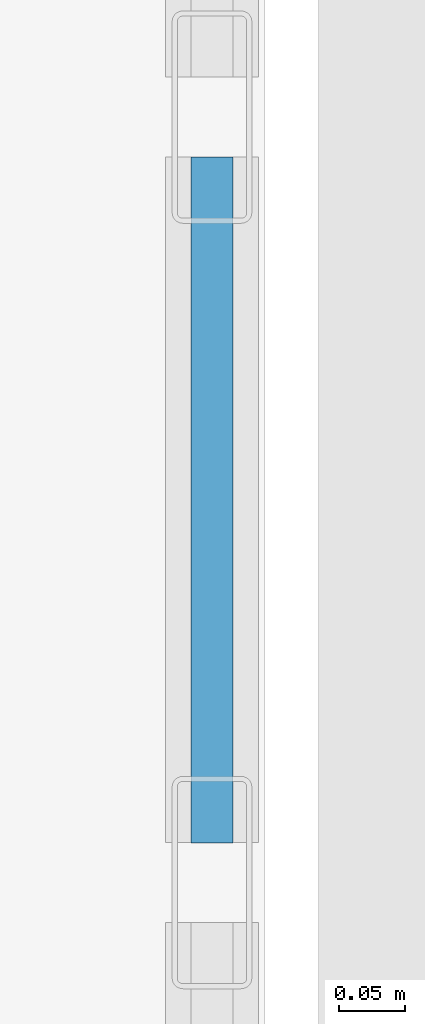
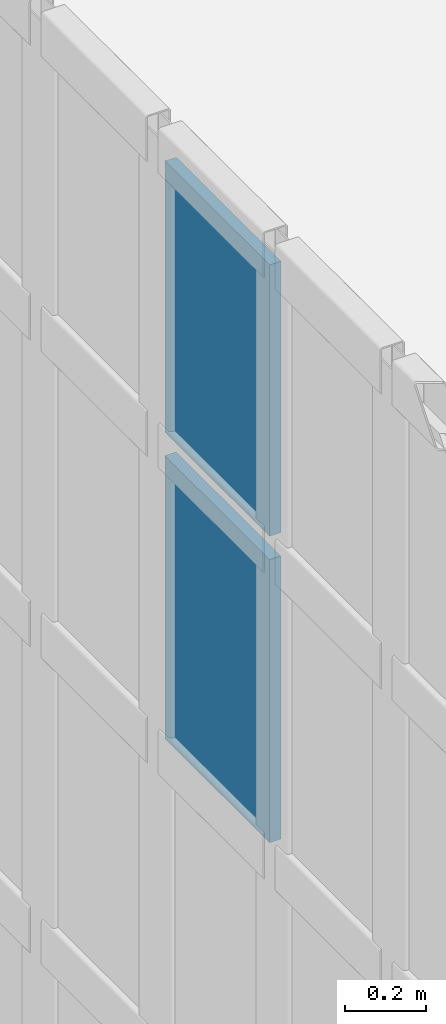
# One storey, part 84 of 104: 2 plates, 1 element without a shape of its own.
"""IFC4 building model written with IfcOpenShell, lengths in metres."""

from ifc_helpers import new_model, si_unit, direction, frame, origin, origin_2d, place, context, subcontext, project, spatial, rectangle, extrude, material, layer, layer_set, type_object, element, aggregate, save


model = new_model("IFC4")

# Units and contexts
model_context = context("Model", 3, precision=1e-05, world=origin(), true_north=direction((0.0, 1.0)))
body_context = subcontext(model_context, "Body", "Model", "MODEL_VIEW")
ifc_project = project(units=[si_unit("LENGTHUNIT", "METRE"), si_unit("AREAUNIT", "SQUARE_METRE"), si_unit("VOLUMEUNIT", "CUBIC_METRE"), si_unit("PLANEANGLEUNIT", "RADIAN"), si_unit("MASSUNIT", "GRAM", prefix="KILO")], contexts=[model_context])

# Site, building, storey
site_placement = place(None, origin())
site = spatial("IfcSite", under=ifc_project, at=site_placement, CompositionType="ELEMENT")
building_placement = place(site_placement, origin())
building = spatial("IfcBuilding", under=site, at=building_placement, Name="Kaelora Sail Theatre", CompositionType="ELEMENT")
storey_placement = place(building_placement, frame((0.0, 0.0, 5.39990234375)))
storey = spatial("IfcBuildingStorey", under=building, at=storey_placement, Name="L01", CompositionType="ELEMENT", Elevation=5.39990234375)

# Curtain wall, plates
ifc_material_1 = material(Name="Anodised aluminium and solar-control low-E IGU", Category="aluminium")
curtain_wall_type = type_object("IfcCurtainWallType", Name="ARC-CW-CW-PROW", PredefinedType="NOTDEFINED", material=ifc_material_1)
curtain_wall_placement = place(storey_placement, origin())
curtain_wall = element("IfcCurtainWall", 1, at=curtain_wall_placement, inside=storey, type_object=curtain_wall_type, Name="East Interstitial Foyer East Glazed Return L01-03", PredefinedType="NOTDEFINED")
ifc_material_2 = material(Name="Solar-control laminated low-E glass", Category="glass")
ifc_layer = layer(ifc_material_2, 0.031982421875)
ifc_layer_set = layer_set([ifc_layer], Name="Solar-control laminated low-E glass")
plate_type = type_object("IfcPlateType", Name="ARC-CW-PNL", PredefinedType="CURTAIN_PANEL", material=ifc_layer_set)
plate_1_placement = place(storey_placement, frame((122.719970703125, 55.60595703125, 1.87841796875), z_axis=(0.0, 0.0, 1.0), x_axis=(0.0, 1.0, 0.0)))
plate_1 = element("IfcPlate", 2, at=plate_1_placement, type_object=plate_type, Name="CW-PROW panel 3.3", PredefinedType="CURTAIN_PANEL", context=body_context, shape_type="SweptSolid", body=[
    extrude(rectangle(XDim=0.516357421875, YDim=0.031982421875, at=origin_2d()), origin(), (0.0, 0.0, 1.0), 0.851806640625),
])
plate_2_placement = place(storey_placement, frame((122.719970703125, 55.60595703125, 2.80029296875), z_axis=(0.0, 0.0, 1.0), x_axis=(0.0, 1.0, 0.0)))
plate_2 = element("IfcPlate", 3, at=plate_2_placement, type_object=plate_type, Name="CW-PROW panel 3.4", PredefinedType="CURTAIN_PANEL", context=body_context, shape_type="SweptSolid", body=[
    extrude(rectangle(XDim=0.516357421875, YDim=0.031982421875, at=origin_2d()), origin(), (0.0, 0.0, 1.0), 0.816650390625),
])
aggregate(curtain_wall, [plate_1, plate_2])

save(model, "model.ifc")
